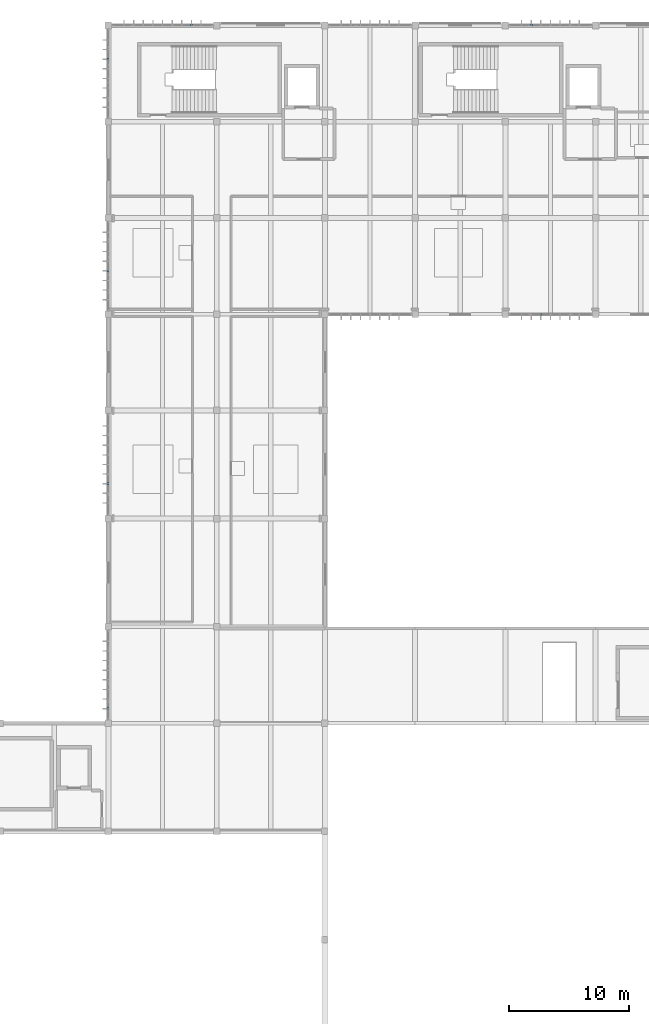
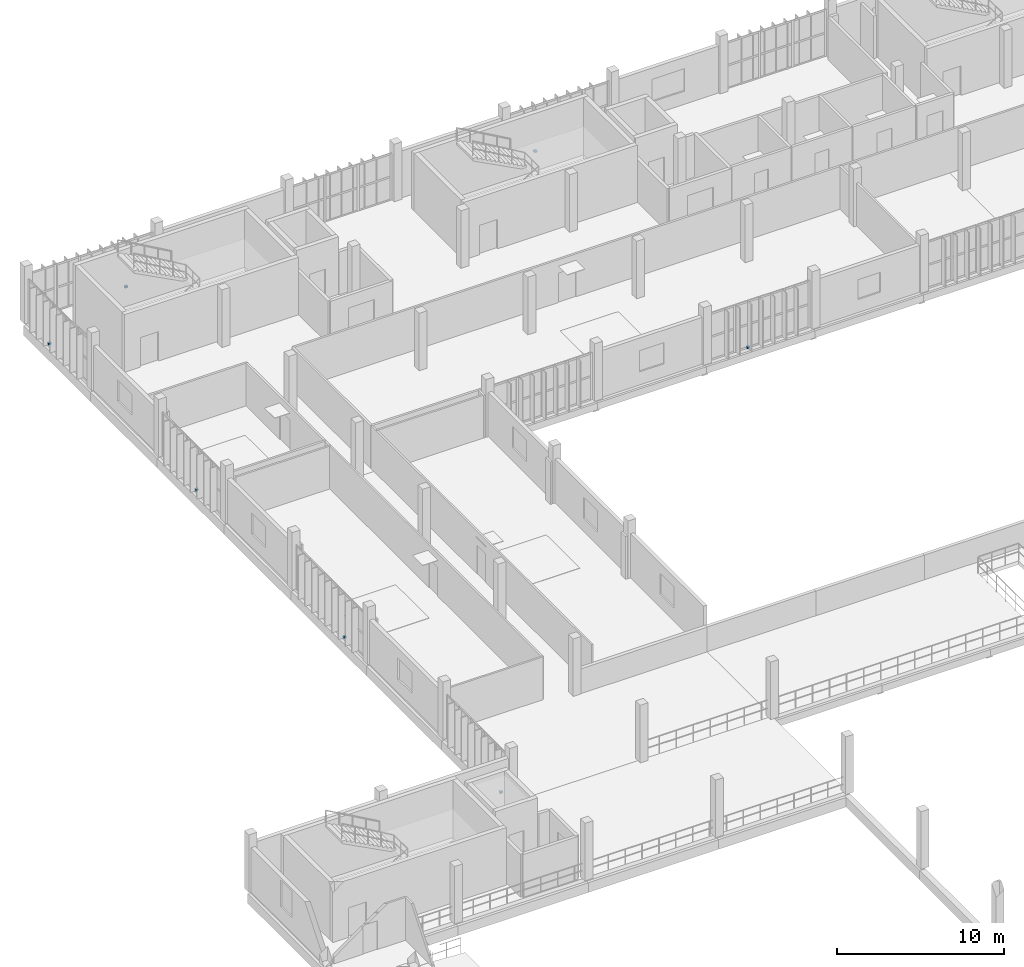
# One storey, part 48 of 61: 7 discrete accessories.
"""IFC4 building model written with IfcOpenShell, lengths in metres."""

from ifc_helpers import new_model, si_unit, direction, frame, origin, origin_2d, place, context, subcontext, project, spatial, rectangle, extrude, material, type_object, element, save


model = new_model("IFC4")

# Units and contexts
model_context = context("Model", 3, precision=1e-05, world=origin(), true_north=direction((0.0, 1.0)))
body_context = subcontext(model_context, "Body", "Model", "MODEL_VIEW")
ifc_project = project(units=[si_unit("LENGTHUNIT", "METRE"), si_unit("AREAUNIT", "SQUARE_METRE"), si_unit("VOLUMEUNIT", "CUBIC_METRE"), si_unit("PLANEANGLEUNIT", "RADIAN"), si_unit("MASSUNIT", "GRAM", prefix="KILO")], contexts=[model_context])

# Site, building, storey
site_placement = place(None, origin())
site = spatial("IfcSite", under=ifc_project, at=site_placement, CompositionType="ELEMENT")
building_placement = place(site_placement, origin())
building = spatial("IfcBuilding", under=site, at=building_placement, Name="Vourika Railside Aquatics Centre", CompositionType="ELEMENT")
storey_placement = place(building_placement, frame((0.0, 0.0, 9.300048828125)))
storey = spatial("IfcBuildingStorey", under=building, at=storey_placement, Name="L02", CompositionType="ELEMENT", Elevation=9.300048828125)

# Discrete accessories
ifc_material = material(Name="Duplex stainless steel EN 1.4462", Category="steel")
discrete_accessory_type = type_object("IfcDiscreteAccessoryType", Name="ACC-BRK-180", PredefinedType="BRACKET", material=ifc_material)
for number, where, z_axis, x_axis, name in (
    (1, (24.89990234375, 116.030029296875, 0.0), (0.0, 0.0, 1.0), (0.0, 1.0, 0.0), "Stainless Fin Shoe Bracket BK-088"),
    (2, (53.14990234375, 116.030029296875, 0.0), (0.0, 0.0, 1.0), (0.0, 1.0, 0.0), "Stainless Fin Shoe Bracket BK-089"),
    (3, (53.949951171875, 91.969970703125, 0.0), (0.0, 0.0, 1.0), (0.0, -1.0, 0.0), "Stainless Fin Shoe Bracket BK-094"),
    (4, (17.969970703125, 59.199951171875, 0.0), (0.0, 0.0, 1.0), (-1.0, 0.0, 0.0), "Stainless Fin Shoe Bracket BK-098"),
    (5, (17.969970703125, 77.89990234375, 0.0), (0.0, 0.0, 1.0), (-1.0, 0.0, 0.0), "Stainless Fin Shoe Bracket BK-099"),
    (6, (17.969970703125, 95.60009765625, 0.0), (0.0, 0.0, 1.0), (-1.0, 0.0, 0.0), "Stainless Fin Shoe Bracket BK-100"),
    (7, (17.969970703125, 113.199951171875, 0.0), (0.0, 0.0, 1.0), (-1.0, 0.0, 0.0), "Stainless Fin Shoe Bracket BK-101"),
):
    element("IfcDiscreteAccessory", number, at=place(storey_placement, frame(where, z_axis=z_axis, x_axis=x_axis)), inside=storey, type_object=discrete_accessory_type, Name=name, PredefinedType="BRACKET", context=body_context, shape_type="SweptSolid", body=[
        extrude(rectangle(XDim=0.179931640625, YDim=0.179931640625, at=origin_2d()), origin(), (0.0, 0.0, 1.0), 0.1201171875),
    ])

save(model, "model.ifc")
